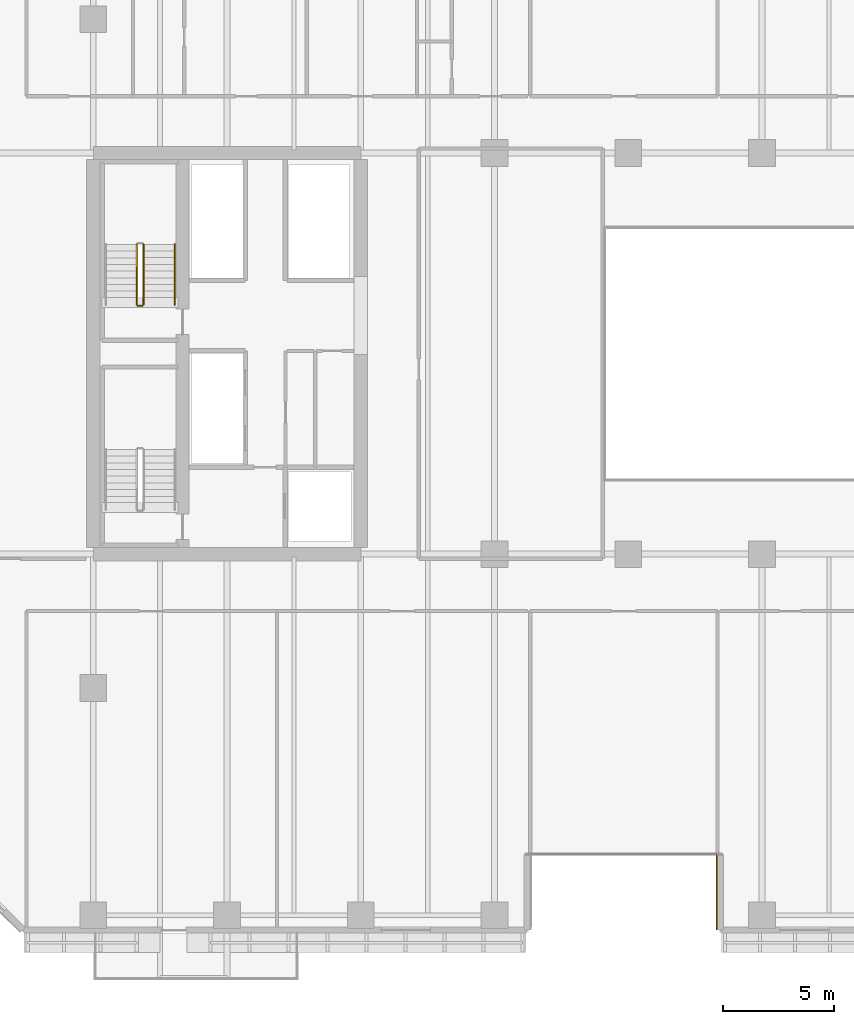
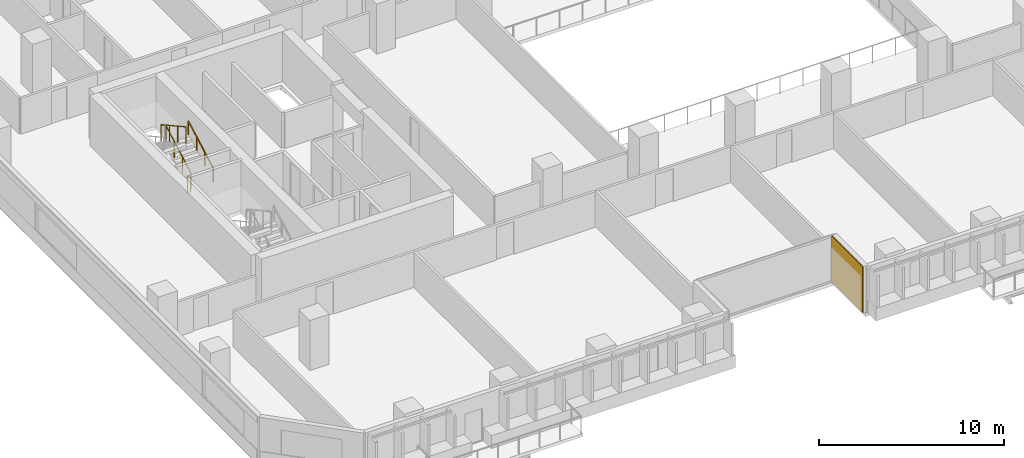
# One storey, part 19 of 25: 4 railings, 1 covering.
"""IFC4 building model written with IfcOpenShell, lengths in metres."""

import ifcopenshell
import ifcopenshell.guid

model = None  # the IFC model being written
_history = None  # IfcOwnerHistory: only IFC2X3 demands one
_inside = {}  # id of a spatial element -> (the spatial element, [elements in it])
_under = {}  # id of a project, library or spatial element -> (it, [spatial elements below it])
_declared = {}  # id of a project -> (the project, [libraries it declares])
_typed = {}  # id of a type object -> (the type object, [elements of that type])
_made_of = {}  # id of a material, layer set ... -> (it, [elements and type objects made of it])


def new_model(schema):
    """Start an empty IFC model of exactly this schema.

    Asked for "IFC4X3", IfcOpenShell would pick the latest addendum, in which some entities
    have other attributes; the version numbers below select the first issue.
    IFC2X3 requires an IfcOwnerHistory on every rooted entity: one is made here for all.
    """
    global model, _history
    if schema == "IFC4X3":
        model = ifcopenshell.file(schema_version=(4, 3, 0, 0))
    else:
        model = ifcopenshell.file(schema=schema)
    _inside.clear()
    _under.clear()
    _declared.clear()
    _typed.clear()
    _made_of.clear()
    _history = None
    if model.schema == "IFC2X3":
        org = make("IfcOrganization", Name="unknown")
        user = make(
            "IfcPersonAndOrganization",
            ThePerson=make("IfcPerson", FamilyName="unknown"),
            TheOrganization=org,
        )
        app = make(
            "IfcApplication",
            ApplicationDeveloper=org,
            Version="unknown",
            ApplicationFullName="unknown",
            ApplicationIdentifier="unknown",
        )
        _history = make(
            "IfcOwnerHistory",
            OwningUser=user,
            OwningApplication=app,
            ChangeAction="ADDED",
            CreationDate=0,
        )
    return model


def make(cls, **values):
    """One entity of the class cls with the attributes given. An attribute that is None is left unset."""
    return model.create_entity(
        cls, **{name: value for name, value in values.items() if value is not None}
    )


def rooted(cls, **values):
    """An entity with a GlobalId (a new one), such as an element, a storey or a relation."""
    return make(cls, GlobalId=ifcopenshell.guid.new(), OwnerHistory=_history, **values)


def si_unit(unit_type, name, prefix=None):
    """IfcSIUnit, for example si_unit("LENGTHUNIT", "METRE", prefix="MILLI")."""
    return make("IfcSIUnit", UnitType=unit_type, Prefix=prefix, Name=name)


def assignment(units):
    """IfcUnitAssignment: the units of a project."""
    return None if units is None else make("IfcUnitAssignment", Units=units)


def point(xyz):
    """IfcCartesianPoint."""
    return None if xyz is None else make("IfcCartesianPoint", Coordinates=xyz)


def direction(xyz):
    """IfcDirection."""
    return None if xyz is None else make("IfcDirection", DirectionRatios=xyz)


def frame(location, z_axis=None, x_axis=None):
    """IfcAxis2Placement3D, a coordinate frame: its origin and axes. An axis left out is left unset."""
    return make(
        "IfcAxis2Placement3D",
        Location=point(location),
        Axis=direction(z_axis),
        RefDirection=direction(x_axis),
    )


def frame_2d(location, x_axis=None):
    """IfcAxis2Placement2D, a coordinate frame in the plane: its origin and x axis."""
    return make(
        "IfcAxis2Placement2D", Location=point(location), RefDirection=direction(x_axis)
    )


def origin():
    """The frame at (0, 0, 0) with its axes left unset."""
    return frame((0.0, 0.0, 0.0))


def origin_2d():
    """The frame at (0, 0) in the plane with its x axis left unset."""
    return frame_2d((0.0, 0.0))


def place(relative_to, where):
    """IfcLocalPlacement: puts the frame where relative to a parent placement (None: the world)."""
    return make(
        "IfcLocalPlacement", PlacementRelTo=relative_to, RelativePlacement=where
    )


def context(
    kind, dimensions, precision=None, world=None, true_north=None, identifier=None
):
    """IfcGeometricRepresentationContext, for example the 3D "Model" context."""
    return make(
        "IfcGeometricRepresentationContext",
        ContextIdentifier=identifier,
        ContextType=kind,
        CoordinateSpaceDimension=dimensions,
        Precision=precision,
        WorldCoordinateSystem=world,
        TrueNorth=true_north,
    )


def subcontext(parent, identifier, kind, view, scale=None):
    """IfcGeometricRepresentationSubContext, for example "Body" below "Model"."""
    return make(
        "IfcGeometricRepresentationSubContext",
        ContextIdentifier=identifier,
        ContextType=kind,
        ParentContext=parent,
        TargetScale=scale,
        TargetView=view,
    )


def project(units=None, contexts=None):
    """IfcProject with its units and contexts."""
    return rooted(
        "IfcProject",
        Name="project",
        RepresentationContexts=contexts,
        UnitsInContext=assignment(units),
    )


def spatial(cls, under=None, at=None, **own):
    """A site, building, storey or space (cls), placed at a placement, below another one or the project."""
    s = rooted(cls, ObjectPlacement=at, **own)
    if under is not None:
        _under.setdefault(under.id(), (under, []))[1].append(s)
    return s


def profile(cls, at=None, kind="AREA", **sizes):
    """A parametric profile (cls). Its sizes go by their IFC names, for example OverallWidth=200.0."""
    return make(cls, ProfileType=kind, Position=at, **sizes)


def rectangle(**sizes):
    """IfcRectangleProfileDef."""
    return profile("IfcRectangleProfileDef", **sizes)


def extrude(swept, where, along, depth):
    """IfcExtrudedAreaSolid: the profile swept, set in the frame where, extruded along a direction by depth."""
    return make(
        "IfcExtrudedAreaSolid",
        SweptArea=swept,
        Position=where,
        ExtrudedDirection=direction(along),
        Depth=depth,
    )


def shape(context_of_items, identifier, shape_type, items):
    """IfcShapeRepresentation: the items that make up one representation, for example the "Body"."""
    return make(
        "IfcShapeRepresentation",
        ContextOfItems=context_of_items,
        RepresentationIdentifier=identifier,
        RepresentationType=shape_type,
        Items=items,
    )


def material(Name=None, Category=None):
    """IfcMaterial."""
    return make("IfcMaterial", Name=Name, Category=Category)


def layer(
    of_material, thickness, ventilated=None, Name=None, Category=None, Priority=None
):
    """IfcMaterialLayer: one layer of a wall or slab, of a material (None: an air gap)."""
    return make(
        "IfcMaterialLayer",
        Material=of_material,
        LayerThickness=thickness,
        IsVentilated=ventilated,
        Name=Name,
        Category=Category,
        Priority=Priority,
    )


def layer_set(layers, Name=None):
    """IfcMaterialLayerSet."""
    return make("IfcMaterialLayerSet", MaterialLayers=layers, LayerSetName=Name)


def made_of(thing, what):
    """Note that an element or type object is made of a material, layer set ...; save() writes the relation."""
    if what is not None:
        _made_of.setdefault(what.id(), (what, []))[1].append(thing)
    return thing


def type_object(cls, material=None, **own):
    """A type object (cls), such as IfcWallType, which elements share."""
    return made_of(rooted(cls, **own), material)


def element(
    cls,
    number,
    at=None,
    inside=None,
    cuts=None,
    type_object=None,
    material=None,
    context=None,
    identifier="Body",
    shape_type=None,
    held_by="IfcProductDefinitionShape",
    body=None,
    shapes=None,
    **own,
):
    """One element of the class cls, such as IfcWall. Its Tag is "e" and its number.

    at: its placement. inside: the storey or other place that contains it. cuts: it is an
    opening in that element (IfcRelVoidsElement). A single representation is given by context,
    identifier, shape_type and body (its items); several are given by shapes. held_by: the class
    of the entity that holds the representations. save() writes the other relations.
    """
    e = rooted(cls, Tag="e%d" % number, ObjectPlacement=at, **own)
    if body is not None:
        shapes = [shape(context, identifier, shape_type, body)]
    if shapes is not None:
        e.Representation = make(held_by, Representations=shapes)
    if inside is not None:
        _inside.setdefault(inside.id(), (inside, []))[1].append(e)
    if cuts is not None:
        rooted(
            "IfcRelVoidsElement", RelatingBuildingElement=cuts, RelatedOpeningElement=e
        )
    if type_object is not None:
        _typed.setdefault(type_object.id(), (type_object, []))[1].append(e)
    return made_of(e, material)


def aggregate(whole, parts):
    """IfcRelAggregates: a whole, such as a stair, and the parts it consists of."""
    return rooted("IfcRelAggregates", RelatingObject=whole, RelatedObjects=parts)


def save(model, path):
    """Write the relations noted so far, then the file.

    IfcRelAggregates (storeys below a building ...), IfcRelContainedInSpatialStructure (elements
    in a storey), IfcRelDefinesByType, IfcRelAssociatesMaterial and IfcRelDeclares: one each for
    every whole, place, type object, material and project.
    """
    for whole, parts in _under.values():
        aggregate(whole, parts)
    for where, things in _inside.values():
        rooted(
            "IfcRelContainedInSpatialStructure",
            RelatedElements=things,
            RelatingStructure=where,
        )
    for kind, things in _typed.values():
        rooted("IfcRelDefinesByType", RelatedObjects=things, RelatingType=kind)
    for what, things in _made_of.values():
        rooted("IfcRelAssociatesMaterial", RelatedObjects=things, RelatingMaterial=what)
    for by, libraries in _declared.values():
        rooted("IfcRelDeclares", RelatingContext=by, RelatedDefinitions=libraries)
    model.write(path)


model = new_model("IFC4")

# Units and contexts
model_context = context("Model", 3, precision=1e-05, world=origin(), true_north=direction((0.0, 1.0)))
body_context = subcontext(model_context, "Body", "Model", "MODEL_VIEW")
ifc_project = project(units=[si_unit("LENGTHUNIT", "METRE"), si_unit("AREAUNIT", "SQUARE_METRE"), si_unit("VOLUMEUNIT", "CUBIC_METRE"), si_unit("PLANEANGLEUNIT", "RADIAN"), si_unit("MASSUNIT", "GRAM", prefix="KILO")], contexts=[model_context])

# Site, building, storey
site_placement = place(None, origin())
site = spatial("IfcSite", under=ifc_project, at=site_placement, CompositionType="ELEMENT")
building_placement = place(site_placement, origin())
building = spatial("IfcBuilding", under=site, at=building_placement, Name="Tanjung Sevakor Pilgrim Tower", CompositionType="ELEMENT")
storey_placement = place(building_placement, frame((0.0, 0.0, 42.239990234375)))
storey = spatial("IfcBuildingStorey", under=building, at=storey_placement, Name="L11", CompositionType="ELEMENT", Elevation=42.239990234375)

# Covering
ifc_material_1 = material(Name="Reconstructed Limestone Cladding", Category="masonry")
ifc_layer = layer(ifc_material_1, 0.044921875)
ifc_layer_set = layer_set([ifc_layer], Name="COV-CLAD-LIMESTONE")
covering_type = type_object("IfcCoveringType", Name="COV-CLAD-LIMESTONE", PredefinedType="CLADDING", material=ifc_layer_set)
covering_placement = place(storey_placement, frame((51.9775390625, 9.43994140625, 0.02001953125), z_axis=(0.0, 0.0, 1.0), x_axis=(0.0, -1.0, 0.0)))
element("IfcCovering", 1, at=covering_placement, inside=storey, type_object=covering_type, Name="L11 Warm Limestone Wall Cladding EW-L11-MAIN-4", PredefinedType="CLADDING", context=body_context, shape_type="SweptSolid", body=[
    extrude(rectangle(XDim=3.360107421875, YDim=0.044921875, at=origin_2d()), origin(), (0.0, 0.0, 1.0), 3.0400390625),
])

# Railings
ifc_material_2 = material(Name="Steel S355J2", Category="steel")
railing_type_1 = type_object("IfcRailingType", Name="RL-STAIR-GUARD", PredefinedType="GUARDRAIL", material=ifc_material_2)
railing_1_placement = place(storey_placement, frame((26.25, 35.800048828125, 0.1650390625)))
element("IfcRailing", 2, at=railing_1_placement, inside=storey, type_object=railing_type_1, Name="L11 TS-W2 stair guard 1", PredefinedType="GUARDRAIL", context=body_context, shape_type="SweptSolid", body=[
    extrude(rectangle(XDim=0.0479, YDim=0.0479), frame((0.0, 0.0, 1.076171875), z_axis=(0.0, 0.876230963923, 0.481891375584), x_axis=(-1.0, 0.0, 0.0)), (0.0, 0.0, 1.0), 3.081298828125),
    extrude(rectangle(XDim=0.042, YDim=0.042), origin(), (0.0, 0.0, 1.0), 1.052001953125),
    extrude(rectangle(XDim=0.042, YDim=0.042), frame((0.0, 0.89990234375, 0.494873046875)), (0.0, 0.0, 1.0), 1.052001953125),
    extrude(rectangle(XDim=0.042, YDim=0.042), frame((0.0, 1.800048828125, 0.989990234375)), (0.0, 0.0, 1.0), 1.052001953125),
    extrude(rectangle(XDim=0.042, YDim=0.042), frame((0.0, 2.699951171875, 1.48486328125)), (0.0, 0.0, 1.0), 1.052001953125),
])
railing_2_placement = place(storey_placement, frame((25.949951171875, 38.5, 1.81494140625)))
element("IfcRailing", 3, at=railing_2_placement, inside=storey, type_object=railing_type_1, Name="L11 TS-W2 stair guard 3", PredefinedType="GUARDRAIL", context=body_context, shape_type="SweptSolid", body=[
    extrude(rectangle(XDim=0.0479, YDim=0.0479), frame((0.0, 0.0, 1.076171875), z_axis=(0.0, -0.876197507361, 0.481952205197), x_axis=(1.0, 0.0, 0.0)), (0.0, 0.0, 1.0), 3.08154296875),
    extrude(rectangle(XDim=0.042, YDim=0.042), origin(), (0.0, 0.0, 1.0), 1.052001953125),
    extrude(rectangle(XDim=0.042, YDim=0.042), frame((0.0, -0.89990234375, 0.4951171875)), (0.0, 0.0, 1.0), 1.052001953125),
    extrude(rectangle(XDim=0.042, YDim=0.042), frame((0.0, -1.800048828125, 0.989990234375)), (0.0, 0.0, 1.0), 1.052001953125),
    extrude(rectangle(XDim=0.042, YDim=0.042), frame((0.0, -2.699951171875, 1.485107421875)), (0.0, 0.0, 1.0), 1.052001953125),
])
railing_3_placement = place(storey_placement, frame((26.199951171875, 35.75, 0.0)))
element("IfcRailing", 4, at=railing_3_placement, inside=storey, type_object=railing_type_1, Name="L11 TS-W2 stair guard 4", PredefinedType="GUARDRAIL", context=body_context, shape_type="SweptSolid", body=[
    extrude(rectangle(XDim=0.0479, YDim=0.0479), frame((0.0, 0.0, 1.076171875), z_axis=(-1.0, 0.0, 0.0), x_axis=(0.0, -1.0, 0.0)), (0.0, 0.0, 1.0), 0.199951171875),
    extrude(rectangle(XDim=0.042, YDim=0.042), origin(), (0.0, 0.0, 1.0), 1.052001953125),
    extrude(rectangle(XDim=0.042, YDim=0.042), frame((-0.199951171875, 0.0, 0.0)), (0.0, 0.0, 1.0), 1.052001953125),
])
ifc_material_3 = material(Name="Steel S355J2", Category="steel")
railing_type_2 = type_object("IfcRailingType", Name="RL-STAIR-HAND", PredefinedType="HANDRAIL", material=ifc_material_3)
railing_4_placement = place(storey_placement, frame((27.64990234375, 35.800048828125, 0.1650390625)))
element("IfcRailing", 5, at=railing_4_placement, inside=storey, type_object=railing_type_2, Name="L11 TS-W2 stair handrail 1", PredefinedType="HANDRAIL", context=body_context, shape_type="SweptSolid", body=[
    extrude(rectangle(XDim=0.0479, YDim=0.0479), frame((0.0, 0.0, 0.8759765625), z_axis=(0.0, 0.876230963923, 0.481891375584), x_axis=(-1.0, 0.0, 0.0)), (0.0, 0.0, 1.0), 3.081298828125),
    extrude(rectangle(XDim=0.042, YDim=0.042), origin(), (0.0, 0.0, 1.0), 0.851806640625),
    extrude(rectangle(XDim=0.042, YDim=0.042), frame((0.0, 0.89990234375, 0.494873046875)), (0.0, 0.0, 1.0), 0.851806640625),
    extrude(rectangle(XDim=0.042, YDim=0.042), frame((0.0, 1.800048828125, 0.989990234375)), (0.0, 0.0, 1.0), 0.851806640625),
    extrude(rectangle(XDim=0.042, YDim=0.042), frame((0.0, 2.699951171875, 1.48486328125)), (0.0, 0.0, 1.0), 0.851806640625),
])

save(model, "model.ifc")
